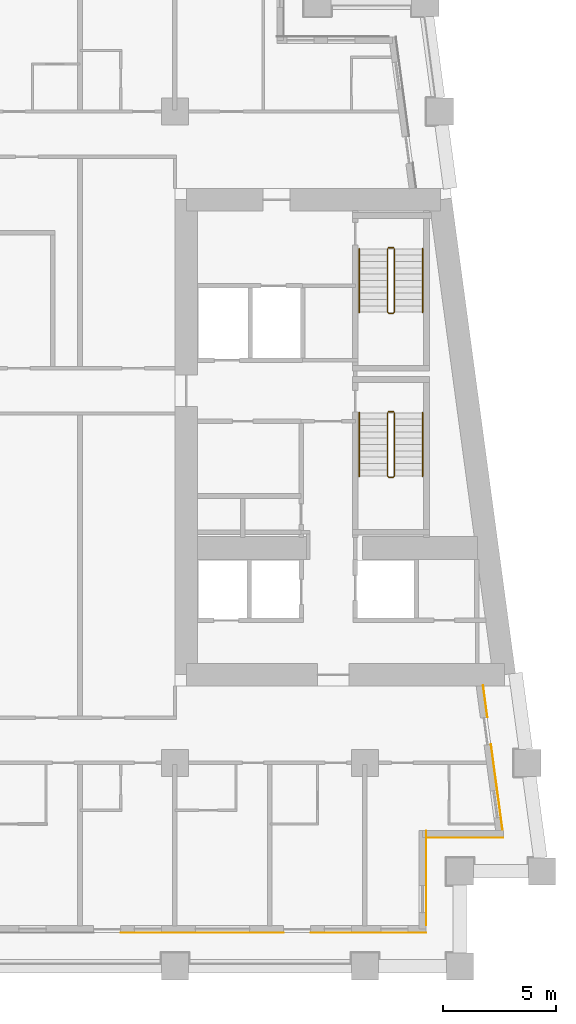
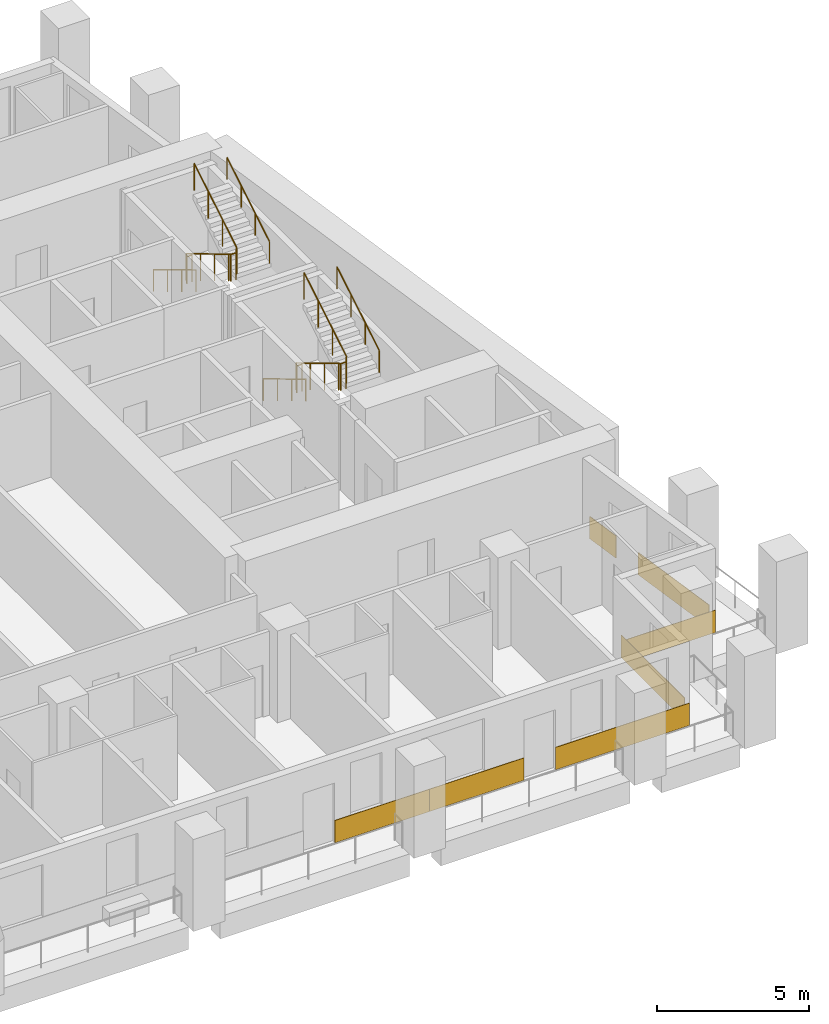
# One storey, part 12 of 14: 8 railings, 7 coverings.
"""IFC4 building model written with IfcOpenShell, lengths in metres."""

from ifc_helpers import new_model, si_unit, direction, frame, origin, origin_2d, place, context, subcontext, project, spatial, rectangle, circle, extrude, material, layer, layer_set, type_object, element, save


model = new_model("IFC4")

# Units and contexts
model_context = context("Model", 3, precision=1e-05, world=origin(), true_north=direction((0.0, 1.0)))
body_context = subcontext(model_context, "Body", "Model", "MODEL_VIEW")
ifc_project = project(units=[si_unit("LENGTHUNIT", "METRE"), si_unit("AREAUNIT", "SQUARE_METRE"), si_unit("VOLUMEUNIT", "CUBIC_METRE"), si_unit("PLANEANGLEUNIT", "RADIAN"), si_unit("MASSUNIT", "GRAM", prefix="KILO")], contexts=[model_context])

# Site, building, storey
site_placement = place(None, origin())
site = spatial("IfcSite", under=ifc_project, at=site_placement, CompositionType="ELEMENT")
building_placement = place(site_placement, origin())
building = spatial("IfcBuilding", under=site, at=building_placement, Name="Candeia Pilgrim Tower and Theatre", CompositionType="ELEMENT")
storey_placement = place(building_placement, frame((0.0, 0.0, 124.300048828125)))
storey = spatial("IfcBuildingStorey", under=building, at=storey_placement, Name="L29", CompositionType="ELEMENT", Elevation=124.300048828125)

# Coverings
ifc_material_1 = material(Name="Glazed ceramic tile red")
ifc_layer_1 = layer(ifc_material_1, 0.02001953125)
ifc_layer_set_1 = layer_set([ifc_layer_1], Name="Glazed ceramic tile red")
covering_type_1 = type_object("IfcCoveringType", Name="Glazed ceramic tile red", PredefinedType="CLADDING", material=ifc_layer_set_1)
covering_1_placement = place(storey_placement, frame((129.0, 99.489990234375, 0.0), z_axis=(0.0, 0.0, 1.0), x_axis=(1.0, 0.0, 0.0)))
element("IfcCovering", 1, at=covering_1_placement, inside=storey, type_object=covering_type_1, Name="Tile cladding red L29", PredefinedType="CLADDING", context=body_context, shape_type="SweptSolid", body=[
    extrude(rectangle(XDim=3.60009765625, YDim=0.02001953125, at=origin_2d()), origin(), (0.0, 0.0, 1.0), 0.89990234375),
])
covering_2_placement = place(storey_placement, frame((134.550048828125, 99.489990234375, 0.0), z_axis=(0.0, 0.0, 1.0), x_axis=(1.0, 0.0, 0.0)))
element("IfcCovering", 2, at=covering_2_placement, inside=storey, type_object=covering_type_1, Name="Tile cladding red L29", PredefinedType="CLADDING", context=body_context, shape_type="SweptSolid", body=[
    extrude(rectangle(XDim=5.10009765625, YDim=0.02001953125, at=origin_2d()), origin(), (0.0, 0.0, 1.0), 0.89990234375),
])
covering_3_placement = place(storey_placement, frame((137.110107421875, 101.909912109375, 0.0), z_axis=(0.0, 0.0, 1.0), x_axis=(0.0, 1.0, 0.0)))
element("IfcCovering", 3, at=covering_3_placement, inside=storey, type_object=covering_type_1, Name="Tile cladding red L29", PredefinedType="CLADDING", context=body_context, shape_type="SweptSolid", body=[
    extrude(rectangle(XDim=4.179931640625, YDim=0.02001953125, at=origin_2d()), origin(), (0.0, 0.0, 1.0), 0.89990234375),
])
covering_4_placement = place(storey_placement, frame((138.819580078125, 103.68994140625, 0.0), z_axis=(0.0, 0.0, 1.0), x_axis=(1.0, 0.0, 0.0)))
element("IfcCovering", 4, at=covering_4_placement, inside=storey, type_object=covering_type_1, Name="Tile cladding red L29", PredefinedType="CLADDING", context=body_context, shape_type="SweptSolid", body=[
    extrude(rectangle(XDim=3.399169921875, YDim=0.02001953125, at=origin_2d()), origin(), (0.0, 0.0, 1.0), 0.89990234375),
])
covering_5_placement = place(storey_placement, frame((140.228515625, 105.933349609375, 0.0), z_axis=(0.0, 0.0, 1.0), x_axis=(-0.133412012145, 0.991060661622, 0.0)))
element("IfcCovering", 5, at=covering_5_placement, inside=storey, type_object=covering_type_1, Name="Tile cladding red L29", PredefinedType="CLADDING", context=body_context, shape_type="SweptSolid", body=[
    extrude(rectangle(XDim=3.821044921875, YDim=0.02001953125, at=origin_2d()), origin(), (0.0, 0.0, 1.0), 0.89990234375),
])
covering_6_placement = place(storey_placement, frame((139.718994140625, 109.71875, 0.0), z_axis=(0.0, 0.0, 1.0), x_axis=(-0.133412012145, 0.991060661622, 0.0)))
element("IfcCovering", 6, at=covering_6_placement, inside=storey, type_object=covering_type_1, Name="Tile cladding red L29", PredefinedType="CLADDING", context=body_context, shape_type="SweptSolid", body=[
    extrude(rectangle(XDim=1.41796875, YDim=0.02001953125, at=origin_2d()), origin(), (0.0, 0.0, 1.0), 0.89990234375),
])
ifc_material_2 = material(Name="Glazed ceramic tile rust")
ifc_layer_2 = layer(ifc_material_2, 0.02001953125)
ifc_layer_set_2 = layer_set([ifc_layer_2], Name="Glazed ceramic tile rust")
covering_type_2 = type_object("IfcCoveringType", Name="Glazed ceramic tile rust", PredefinedType="CLADDING", material=ifc_layer_set_2)
covering_7_placement = place(storey_placement, frame((125.39990234375, 99.489990234375, 0.0), z_axis=(0.0, 0.0, 1.0), x_axis=(1.0, 0.0, 0.0)))
element("IfcCovering", 7, at=covering_7_placement, inside=storey, type_object=covering_type_2, Name="Tile cladding rust L29", PredefinedType="CLADDING", context=body_context, shape_type="SweptSolid", body=[
    extrude(rectangle(XDim=3.60009765625, YDim=0.02001953125, at=origin_2d()), origin(), (0.0, 0.0, 1.0), 0.89990234375),
])

# Railings
ifc_material_3 = material(Name="Stainless steel balustrade", Category="steel")
railing_type_1 = type_object("IfcRailingType", Name="RL-GUARD-1100", PredefinedType="GUARDRAIL", material=ifc_material_3)
railing_1_placement = place(storey_placement, frame((135.39794921875, 122.47509765625, 0.168212890625)))
element("IfcRailing", 8, at=railing_1_placement, inside=storey, type_object=railing_type_1, Name="L29 ST3 stair guard 1", PredefinedType="GUARDRAIL", context=body_context, shape_type="SweptSolid", body=[
    extrude(circle(Radius=0.02392578125, at=origin_2d()), frame((0.0, 0.0, 1.076171875), z_axis=(0.0, -0.857275202839, 0.514858452973), x_axis=(1.0, 0.0, 0.0)), (0.0, 0.0, 1.0), 3.26611328125),
    extrude(circle(Radius=0.02392578125, at=origin_2d()), frame((0.0, -2.800048828125, 2.7578125), z_axis=(0.707106781187, -0.707106781187, 0.0), x_axis=(0.707106781187, 0.707106781187, 0.0)), (0.0, 0.0, 1.0), 0.07080078125),
    extrude(circle(Radius=0.02392578125, at=origin_2d()), frame((0.050048828125, -2.85009765625, 2.7578125), z_axis=(1.0, 0.0, 0.0), x_axis=(0.0, 1.0, 0.0)), (0.0, 0.0, 1.0), 0.199951171875),
    extrude(circle(Radius=0.02392578125, at=origin_2d()), frame((0.25, -2.85009765625, 2.7578125), z_axis=(0.274243871929, 0.274243871929, 0.92172696468), x_axis=(-0.707106781187, 0.707106781187, 0.0)), (0.0, 0.0, 1.0), 0.1826171875),
    extrude(circle(Radius=0.02392578125, at=origin_2d()), frame((0.300048828125, -2.800048828125, 2.92578125), z_axis=(0.0, 0.857242210791, 0.514913383045), x_axis=(-1.0, 0.0, 0.0)), (0.0, 0.0, 1.0), 3.266357421875),
    extrude(circle(Radius=0.02099609375, at=origin_2d()), origin(), (0.0, 0.0, 1.0), 1.052001953125),
    extrude(circle(Radius=0.02099609375, at=origin_2d()), frame((0.0, -0.933349609375, 0.560546875)), (0.0, 0.0, 1.0), 1.052001953125),
    extrude(circle(Radius=0.02099609375, at=origin_2d()), frame((0.0, -1.86669921875, 1.12109375)), (0.0, 0.0, 1.0), 1.052001953125),
    extrude(circle(Radius=0.02099609375, at=origin_2d()), frame((0.0, -2.800048828125, 1.681640625)), (0.0, 0.0, 1.0), 1.052001953125),
    extrude(circle(Radius=0.02099609375, at=origin_2d()), frame((0.050048828125, -2.85009765625, 1.681640625)), (0.0, 0.0, 1.0), 1.052001953125),
    extrude(circle(Radius=0.02099609375, at=origin_2d()), frame((0.25, -2.85009765625, 1.681640625)), (0.0, 0.0, 1.0), 1.052001953125),
    extrude(circle(Radius=0.02099609375, at=origin_2d()), frame((0.300048828125, -2.800048828125, 1.849853515625)), (0.0, 0.0, 1.0), 1.052001953125),
    extrude(circle(Radius=0.02099609375, at=origin_2d()), frame((0.300048828125, -1.86669921875, 2.410400390625)), (0.0, 0.0, 1.0), 1.052001953125),
    extrude(circle(Radius=0.02099609375, at=origin_2d()), frame((0.300048828125, -0.933349609375, 2.97119140625)), (0.0, 0.0, 1.0), 1.052001953125),
    extrude(circle(Radius=0.02099609375, at=origin_2d()), frame((0.300048828125, 0.0, 3.53173828125)), (0.0, 0.0, 1.0), 1.052001953125),
])
railing_2_placement = place(storey_placement, frame((135.447998046875, 122.52490234375, 0.0)))
element("IfcRailing", 9, at=railing_2_placement, inside=storey, type_object=railing_type_1, Name="L29 ST3 stair guard 2", PredefinedType="GUARDRAIL", context=body_context, shape_type="SweptSolid", body=[
    extrude(circle(Radius=0.02392578125, at=origin_2d()), frame((0.0, 0.0, 1.076171875), z_axis=(1.0, 0.0, 0.0), x_axis=(0.0, 1.0, 0.0)), (0.0, 0.0, 1.0), 0.199951171875),
    extrude(circle(Radius=0.02099609375, at=origin_2d()), origin(), (0.0, 0.0, 1.0), 1.052001953125),
    extrude(circle(Radius=0.02099609375, at=origin_2d()), frame((0.199951171875, 0.0, 0.0)), (0.0, 0.0, 1.0), 1.052001953125),
])
railing_3_placement = place(storey_placement, frame((135.39794921875, 129.72509765625, 0.168212890625)))
element("IfcRailing", 10, at=railing_3_placement, inside=storey, type_object=railing_type_1, Name="L29 ST4 stair guard 1", PredefinedType="GUARDRAIL", context=body_context, shape_type="SweptSolid", body=[
    extrude(circle(Radius=0.02392578125, at=origin_2d()), frame((0.0, 0.0, 1.076171875), z_axis=(0.0, -0.857275202839, 0.514858452973), x_axis=(1.0, 0.0, 0.0)), (0.0, 0.0, 1.0), 3.26611328125),
    extrude(circle(Radius=0.02392578125, at=origin_2d()), frame((0.0, -2.800048828125, 2.7578125), z_axis=(0.707106781187, -0.707106781187, 0.0), x_axis=(0.707106781187, 0.707106781187, 0.0)), (0.0, 0.0, 1.0), 0.07080078125),
    extrude(circle(Radius=0.02392578125, at=origin_2d()), frame((0.050048828125, -2.85009765625, 2.7578125), z_axis=(1.0, 0.0, 0.0), x_axis=(0.0, 1.0, 0.0)), (0.0, 0.0, 1.0), 0.199951171875),
    extrude(circle(Radius=0.02392578125, at=origin_2d()), frame((0.25, -2.85009765625, 2.7578125), z_axis=(0.274243871929, 0.274243871929, 0.92172696468), x_axis=(-0.707106781187, 0.707106781187, 0.0)), (0.0, 0.0, 1.0), 0.1826171875),
    extrude(circle(Radius=0.02392578125, at=origin_2d()), frame((0.300048828125, -2.800048828125, 2.92578125), z_axis=(0.0, 0.857242210791, 0.514913383045), x_axis=(-1.0, 0.0, 0.0)), (0.0, 0.0, 1.0), 3.266357421875),
    extrude(circle(Radius=0.02099609375, at=origin_2d()), origin(), (0.0, 0.0, 1.0), 1.052001953125),
    extrude(circle(Radius=0.02099609375, at=origin_2d()), frame((0.0, -0.933349609375, 0.560546875)), (0.0, 0.0, 1.0), 1.052001953125),
    extrude(circle(Radius=0.02099609375, at=origin_2d()), frame((0.0, -1.86669921875, 1.12109375)), (0.0, 0.0, 1.0), 1.052001953125),
    extrude(circle(Radius=0.02099609375, at=origin_2d()), frame((0.0, -2.800048828125, 1.681640625)), (0.0, 0.0, 1.0), 1.052001953125),
    extrude(circle(Radius=0.02099609375, at=origin_2d()), frame((0.050048828125, -2.85009765625, 1.681640625)), (0.0, 0.0, 1.0), 1.052001953125),
    extrude(circle(Radius=0.02099609375, at=origin_2d()), frame((0.25, -2.85009765625, 1.681640625)), (0.0, 0.0, 1.0), 1.052001953125),
    extrude(circle(Radius=0.02099609375, at=origin_2d()), frame((0.300048828125, -2.800048828125, 1.849853515625)), (0.0, 0.0, 1.0), 1.052001953125),
    extrude(circle(Radius=0.02099609375, at=origin_2d()), frame((0.300048828125, -1.86669921875, 2.410400390625)), (0.0, 0.0, 1.0), 1.052001953125),
    extrude(circle(Radius=0.02099609375, at=origin_2d()), frame((0.300048828125, -0.933349609375, 2.97119140625)), (0.0, 0.0, 1.0), 1.052001953125),
    extrude(circle(Radius=0.02099609375, at=origin_2d()), frame((0.300048828125, 0.0, 3.53173828125)), (0.0, 0.0, 1.0), 1.052001953125),
])
railing_4_placement = place(storey_placement, frame((135.447998046875, 129.77490234375, 0.0)))
element("IfcRailing", 11, at=railing_4_placement, inside=storey, type_object=railing_type_1, Name="L29 ST4 stair guard 2", PredefinedType="GUARDRAIL", context=body_context, shape_type="SweptSolid", body=[
    extrude(circle(Radius=0.02392578125, at=origin_2d()), frame((0.0, 0.0, 1.076171875), z_axis=(1.0, 0.0, 0.0), x_axis=(0.0, 1.0, 0.0)), (0.0, 0.0, 1.0), 0.199951171875),
    extrude(circle(Radius=0.02099609375, at=origin_2d()), origin(), (0.0, 0.0, 1.0), 1.052001953125),
    extrude(circle(Radius=0.02099609375, at=origin_2d()), frame((0.199951171875, 0.0, 0.0)), (0.0, 0.0, 1.0), 1.052001953125),
])
ifc_material_4 = material(Name="Stainless steel handrail", Category="steel")
railing_type_2 = type_object("IfcRailingType", Name="RL-HANDRAIL-900", PredefinedType="HANDRAIL", material=ifc_material_4)
railing_5_placement = place(storey_placement, frame((134.14794921875, 122.47509765625, 0.168212890625)))
element("IfcRailing", 12, at=railing_5_placement, inside=storey, type_object=railing_type_2, Name="L29 ST3 stair handrail 1", PredefinedType="HANDRAIL", context=body_context, shape_type="SweptSolid", body=[
    extrude(circle(Radius=0.02392578125, at=origin_2d()), frame((0.0, 0.0, 0.8759765625), z_axis=(0.0, -0.857275202839, 0.514858452973), x_axis=(1.0, 0.0, 0.0)), (0.0, 0.0, 1.0), 3.26611328125),
    extrude(circle(Radius=0.02099609375, at=origin_2d()), origin(), (0.0, 0.0, 1.0), 0.851806640625),
    extrude(circle(Radius=0.02099609375, at=origin_2d()), frame((0.0, -0.933349609375, 0.560546875)), (0.0, 0.0, 1.0), 0.851806640625),
    extrude(circle(Radius=0.02099609375, at=origin_2d()), frame((0.0, -1.86669921875, 1.12109375)), (0.0, 0.0, 1.0), 0.851806640625),
    extrude(circle(Radius=0.02099609375, at=origin_2d()), frame((0.0, -2.800048828125, 1.681640625)), (0.0, 0.0, 1.0), 0.851806640625),
])
railing_6_placement = place(storey_placement, frame((136.947998046875, 119.675048828125, 2.01806640625)))
element("IfcRailing", 13, at=railing_6_placement, inside=storey, type_object=railing_type_2, Name="L29 ST3 stair handrail 2", PredefinedType="HANDRAIL", context=body_context, shape_type="SweptSolid", body=[
    extrude(circle(Radius=0.02392578125, at=origin_2d()), frame((0.0, 0.0, 0.8759765625), z_axis=(0.0, 0.857242210791, 0.514913383045), x_axis=(-1.0, 0.0, 0.0)), (0.0, 0.0, 1.0), 3.266357421875),
    extrude(circle(Radius=0.02099609375, at=origin_2d()), origin(), (0.0, 0.0, 1.0), 0.851806640625),
    extrude(circle(Radius=0.02099609375, at=origin_2d()), frame((0.0, 0.933349609375, 0.560546875)), (0.0, 0.0, 1.0), 0.851806640625),
    extrude(circle(Radius=0.02099609375, at=origin_2d()), frame((0.0, 1.86669921875, 1.121337890625)), (0.0, 0.0, 1.0), 0.851806640625),
    extrude(circle(Radius=0.02099609375, at=origin_2d()), frame((0.0, 2.800048828125, 1.681884765625)), (0.0, 0.0, 1.0), 0.851806640625),
])
railing_7_placement = place(storey_placement, frame((134.14794921875, 129.72509765625, 0.168212890625)))
element("IfcRailing", 14, at=railing_7_placement, inside=storey, type_object=railing_type_2, Name="L29 ST4 stair handrail 1", PredefinedType="HANDRAIL", context=body_context, shape_type="SweptSolid", body=[
    extrude(circle(Radius=0.02392578125, at=origin_2d()), frame((0.0, 0.0, 0.8759765625), z_axis=(0.0, -0.857275202839, 0.514858452973), x_axis=(1.0, 0.0, 0.0)), (0.0, 0.0, 1.0), 3.26611328125),
    extrude(circle(Radius=0.02099609375, at=origin_2d()), origin(), (0.0, 0.0, 1.0), 0.851806640625),
    extrude(circle(Radius=0.02099609375, at=origin_2d()), frame((0.0, -0.933349609375, 0.560546875)), (0.0, 0.0, 1.0), 0.851806640625),
    extrude(circle(Radius=0.02099609375, at=origin_2d()), frame((0.0, -1.86669921875, 1.12109375)), (0.0, 0.0, 1.0), 0.851806640625),
    extrude(circle(Radius=0.02099609375, at=origin_2d()), frame((0.0, -2.800048828125, 1.681640625)), (0.0, 0.0, 1.0), 0.851806640625),
])
railing_8_placement = place(storey_placement, frame((136.947998046875, 126.925048828125, 2.01806640625)))
element("IfcRailing", 15, at=railing_8_placement, inside=storey, type_object=railing_type_2, Name="L29 ST4 stair handrail 2", PredefinedType="HANDRAIL", context=body_context, shape_type="SweptSolid", body=[
    extrude(circle(Radius=0.02392578125, at=origin_2d()), frame((0.0, 0.0, 0.8759765625), z_axis=(0.0, 0.857242210791, 0.514913383045), x_axis=(-1.0, 0.0, 0.0)), (0.0, 0.0, 1.0), 3.266357421875),
    extrude(circle(Radius=0.02099609375, at=origin_2d()), origin(), (0.0, 0.0, 1.0), 0.851806640625),
    extrude(circle(Radius=0.02099609375, at=origin_2d()), frame((0.0, 0.933349609375, 0.560546875)), (0.0, 0.0, 1.0), 0.851806640625),
    extrude(circle(Radius=0.02099609375, at=origin_2d()), frame((0.0, 1.86669921875, 1.121337890625)), (0.0, 0.0, 1.0), 0.851806640625),
    extrude(circle(Radius=0.02099609375, at=origin_2d()), frame((0.0, 2.800048828125, 1.681884765625)), (0.0, 0.0, 1.0), 0.851806640625),
])

save(model, "model.ifc")
